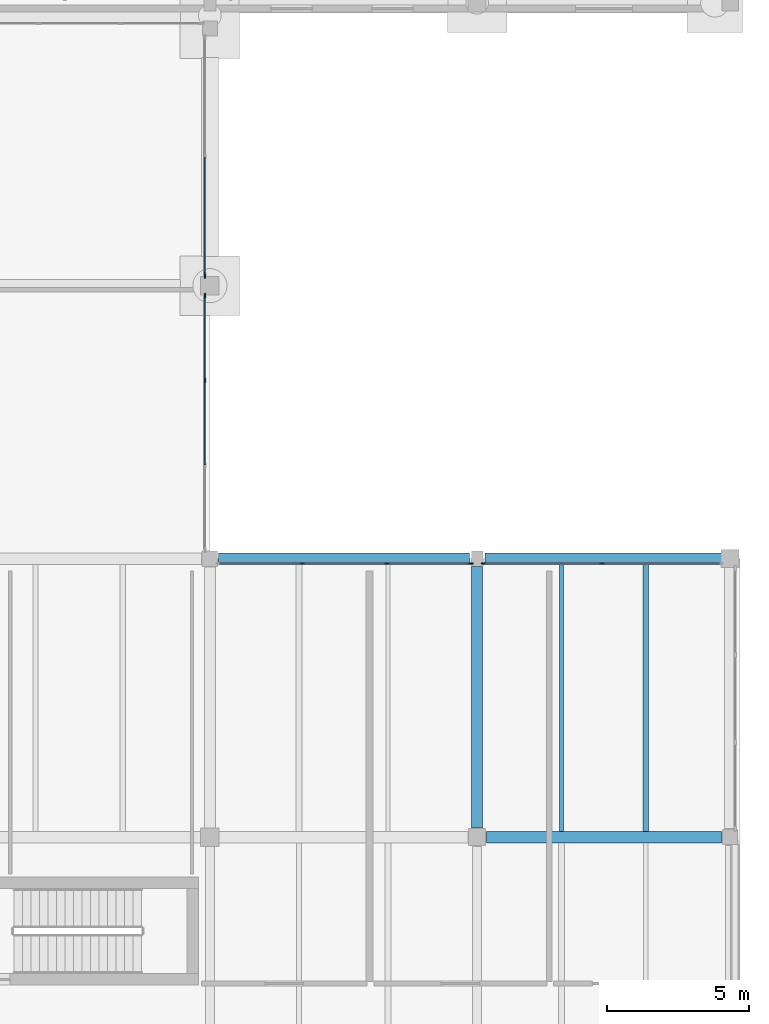
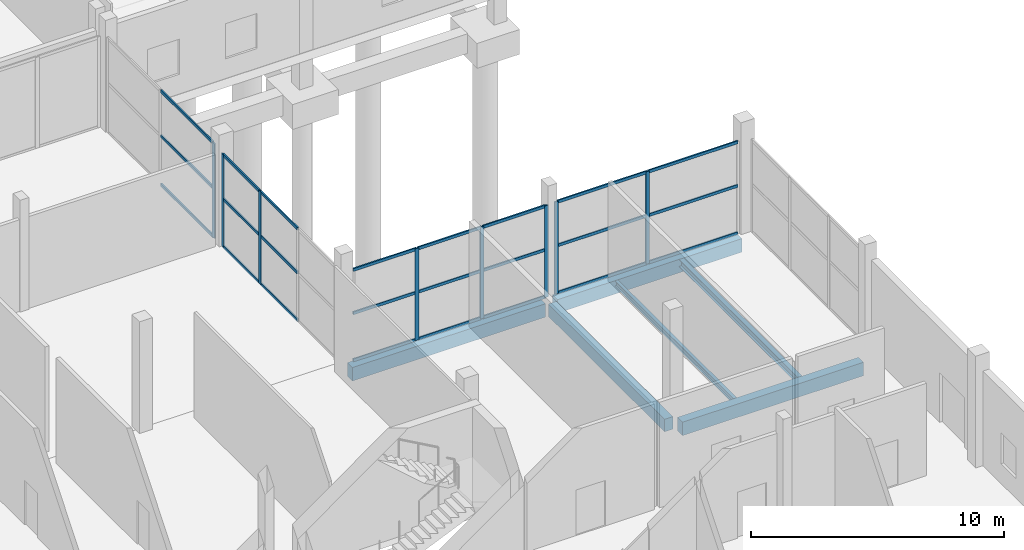
# One storey, part 43 of 88: 32 members, 6 beams, 4 elements without a shape of their own.
"""IFC4 building model written with IfcOpenShell, lengths in metres."""

import ifcopenshell
import ifcopenshell.guid

model = None  # the IFC model being written
_history = None  # IfcOwnerHistory: only IFC2X3 demands one
_inside = {}  # id of a spatial element -> (the spatial element, [elements in it])
_under = {}  # id of a project, library or spatial element -> (it, [spatial elements below it])
_declared = {}  # id of a project -> (the project, [libraries it declares])
_typed = {}  # id of a type object -> (the type object, [elements of that type])
_made_of = {}  # id of a material, layer set ... -> (it, [elements and type objects made of it])


def new_model(schema):
    """Start an empty IFC model of exactly this schema.

    Asked for "IFC4X3", IfcOpenShell would pick the latest addendum, in which some entities
    have other attributes; the version numbers below select the first issue.
    IFC2X3 requires an IfcOwnerHistory on every rooted entity: one is made here for all.
    """
    global model, _history
    if schema == "IFC4X3":
        model = ifcopenshell.file(schema_version=(4, 3, 0, 0))
    else:
        model = ifcopenshell.file(schema=schema)
    _inside.clear()
    _under.clear()
    _declared.clear()
    _typed.clear()
    _made_of.clear()
    _history = None
    if model.schema == "IFC2X3":
        org = make("IfcOrganization", Name="unknown")
        user = make(
            "IfcPersonAndOrganization",
            ThePerson=make("IfcPerson", FamilyName="unknown"),
            TheOrganization=org,
        )
        app = make(
            "IfcApplication",
            ApplicationDeveloper=org,
            Version="unknown",
            ApplicationFullName="unknown",
            ApplicationIdentifier="unknown",
        )
        _history = make(
            "IfcOwnerHistory",
            OwningUser=user,
            OwningApplication=app,
            ChangeAction="ADDED",
            CreationDate=0,
        )
    return model


def make(cls, **values):
    """One entity of the class cls with the attributes given. An attribute that is None is left unset."""
    return model.create_entity(
        cls, **{name: value for name, value in values.items() if value is not None}
    )


def rooted(cls, **values):
    """An entity with a GlobalId (a new one), such as an element, a storey or a relation."""
    return make(cls, GlobalId=ifcopenshell.guid.new(), OwnerHistory=_history, **values)


def si_unit(unit_type, name, prefix=None):
    """IfcSIUnit, for example si_unit("LENGTHUNIT", "METRE", prefix="MILLI")."""
    return make("IfcSIUnit", UnitType=unit_type, Prefix=prefix, Name=name)


def assignment(units):
    """IfcUnitAssignment: the units of a project."""
    return None if units is None else make("IfcUnitAssignment", Units=units)


def point(xyz):
    """IfcCartesianPoint."""
    return None if xyz is None else make("IfcCartesianPoint", Coordinates=xyz)


def direction(xyz):
    """IfcDirection."""
    return None if xyz is None else make("IfcDirection", DirectionRatios=xyz)


def frame(location, z_axis=None, x_axis=None):
    """IfcAxis2Placement3D, a coordinate frame: its origin and axes. An axis left out is left unset."""
    return make(
        "IfcAxis2Placement3D",
        Location=point(location),
        Axis=direction(z_axis),
        RefDirection=direction(x_axis),
    )


def frame_2d(location, x_axis=None):
    """IfcAxis2Placement2D, a coordinate frame in the plane: its origin and x axis."""
    return make(
        "IfcAxis2Placement2D", Location=point(location), RefDirection=direction(x_axis)
    )


def origin():
    """The frame at (0, 0, 0) with its axes left unset."""
    return frame((0.0, 0.0, 0.0))


def origin_2d():
    """The frame at (0, 0) in the plane with its x axis left unset."""
    return frame_2d((0.0, 0.0))


def place(relative_to, where):
    """IfcLocalPlacement: puts the frame where relative to a parent placement (None: the world)."""
    return make(
        "IfcLocalPlacement", PlacementRelTo=relative_to, RelativePlacement=where
    )


def context(
    kind, dimensions, precision=None, world=None, true_north=None, identifier=None
):
    """IfcGeometricRepresentationContext, for example the 3D "Model" context."""
    return make(
        "IfcGeometricRepresentationContext",
        ContextIdentifier=identifier,
        ContextType=kind,
        CoordinateSpaceDimension=dimensions,
        Precision=precision,
        WorldCoordinateSystem=world,
        TrueNorth=true_north,
    )


def subcontext(parent, identifier, kind, view, scale=None):
    """IfcGeometricRepresentationSubContext, for example "Body" below "Model"."""
    return make(
        "IfcGeometricRepresentationSubContext",
        ContextIdentifier=identifier,
        ContextType=kind,
        ParentContext=parent,
        TargetScale=scale,
        TargetView=view,
    )


def project(units=None, contexts=None):
    """IfcProject with its units and contexts."""
    return rooted(
        "IfcProject",
        Name="project",
        RepresentationContexts=contexts,
        UnitsInContext=assignment(units),
    )


def spatial(cls, under=None, at=None, **own):
    """A site, building, storey or space (cls), placed at a placement, below another one or the project."""
    s = rooted(cls, ObjectPlacement=at, **own)
    if under is not None:
        _under.setdefault(under.id(), (under, []))[1].append(s)
    return s


def profile(cls, at=None, kind="AREA", **sizes):
    """A parametric profile (cls). Its sizes go by their IFC names, for example OverallWidth=200.0."""
    return make(cls, ProfileType=kind, Position=at, **sizes)


def rectangle(**sizes):
    """IfcRectangleProfileDef."""
    return profile("IfcRectangleProfileDef", **sizes)


def i_section(**sizes):
    """IfcIShapeProfileDef."""
    return profile("IfcIShapeProfileDef", **sizes)


def extrude(swept, where, along, depth):
    """IfcExtrudedAreaSolid: the profile swept, set in the frame where, extruded along a direction by depth."""
    return make(
        "IfcExtrudedAreaSolid",
        SweptArea=swept,
        Position=where,
        ExtrudedDirection=direction(along),
        Depth=depth,
    )


def shape(context_of_items, identifier, shape_type, items):
    """IfcShapeRepresentation: the items that make up one representation, for example the "Body"."""
    return make(
        "IfcShapeRepresentation",
        ContextOfItems=context_of_items,
        RepresentationIdentifier=identifier,
        RepresentationType=shape_type,
        Items=items,
    )


def material(Name=None, Category=None):
    """IfcMaterial."""
    return make("IfcMaterial", Name=Name, Category=Category)


def layer(
    of_material, thickness, ventilated=None, Name=None, Category=None, Priority=None
):
    """IfcMaterialLayer: one layer of a wall or slab, of a material (None: an air gap)."""
    return make(
        "IfcMaterialLayer",
        Material=of_material,
        LayerThickness=thickness,
        IsVentilated=ventilated,
        Name=Name,
        Category=Category,
        Priority=Priority,
    )


def layer_set(layers, Name=None):
    """IfcMaterialLayerSet."""
    return make("IfcMaterialLayerSet", MaterialLayers=layers, LayerSetName=Name)


def material_profile(
    of_material, cross_section, Name=None, Category=None, Priority=None
):
    """IfcMaterialProfile: a cross section and its material."""
    return make(
        "IfcMaterialProfile",
        Name=Name,
        Material=of_material,
        Profile=cross_section,
        Priority=Priority,
        Category=Category,
    )


def profile_set(profiles, Name=None, composite=None):
    """IfcMaterialProfileSet."""
    return make(
        "IfcMaterialProfileSet",
        Name=Name,
        MaterialProfiles=profiles,
        CompositeProfile=composite,
    )


def made_of(thing, what):
    """Note that an element or type object is made of a material, layer set ...; save() writes the relation."""
    if what is not None:
        _made_of.setdefault(what.id(), (what, []))[1].append(thing)
    return thing


def type_object(cls, material=None, **own):
    """A type object (cls), such as IfcWallType, which elements share."""
    return made_of(rooted(cls, **own), material)


def element(
    cls,
    number,
    at=None,
    inside=None,
    cuts=None,
    type_object=None,
    material=None,
    context=None,
    identifier="Body",
    shape_type=None,
    held_by="IfcProductDefinitionShape",
    body=None,
    shapes=None,
    **own,
):
    """One element of the class cls, such as IfcWall. Its Tag is "e" and its number.

    at: its placement. inside: the storey or other place that contains it. cuts: it is an
    opening in that element (IfcRelVoidsElement). A single representation is given by context,
    identifier, shape_type and body (its items); several are given by shapes. held_by: the class
    of the entity that holds the representations. save() writes the other relations.
    """
    e = rooted(cls, Tag="e%d" % number, ObjectPlacement=at, **own)
    if body is not None:
        shapes = [shape(context, identifier, shape_type, body)]
    if shapes is not None:
        e.Representation = make(held_by, Representations=shapes)
    if inside is not None:
        _inside.setdefault(inside.id(), (inside, []))[1].append(e)
    if cuts is not None:
        rooted(
            "IfcRelVoidsElement", RelatingBuildingElement=cuts, RelatedOpeningElement=e
        )
    if type_object is not None:
        _typed.setdefault(type_object.id(), (type_object, []))[1].append(e)
    return made_of(e, material)


def aggregate(whole, parts):
    """IfcRelAggregates: a whole, such as a stair, and the parts it consists of."""
    return rooted("IfcRelAggregates", RelatingObject=whole, RelatedObjects=parts)


def save(model, path):
    """Write the relations noted so far, then the file.

    IfcRelAggregates (storeys below a building ...), IfcRelContainedInSpatialStructure (elements
    in a storey), IfcRelDefinesByType, IfcRelAssociatesMaterial and IfcRelDeclares: one each for
    every whole, place, type object, material and project.
    """
    for whole, parts in _under.values():
        aggregate(whole, parts)
    for where, things in _inside.values():
        rooted(
            "IfcRelContainedInSpatialStructure",
            RelatedElements=things,
            RelatingStructure=where,
        )
    for kind, things in _typed.values():
        rooted("IfcRelDefinesByType", RelatedObjects=things, RelatingType=kind)
    for what, things in _made_of.values():
        rooted("IfcRelAssociatesMaterial", RelatedObjects=things, RelatingMaterial=what)
    for by, libraries in _declared.values():
        rooted("IfcRelDeclares", RelatingContext=by, RelatedDefinitions=libraries)
    model.write(path)


model = new_model("IFC4")

# Units and contexts
model_context = context("Model", 3, precision=1e-05, world=origin(), true_north=direction((0.0, 1.0)))
body_context = subcontext(model_context, "Body", "Model", "MODEL_VIEW")
ifc_project = project(units=[si_unit("LENGTHUNIT", "METRE"), si_unit("AREAUNIT", "SQUARE_METRE"), si_unit("VOLUMEUNIT", "CUBIC_METRE"), si_unit("PLANEANGLEUNIT", "RADIAN"), si_unit("MASSUNIT", "GRAM", prefix="KILO")], contexts=[model_context])

# Site, building, storey
site_placement = place(None, origin())
site = spatial("IfcSite", under=ifc_project, at=site_placement, CompositionType="ELEMENT")
building_placement = place(site_placement, origin())
building = spatial("IfcBuilding", under=site, at=building_placement, Name="Birchvale Park Specialist Clinic", CompositionType="ELEMENT")
storey_placement = place(building_placement, origin())
storey = spatial("IfcBuildingStorey", under=building, at=storey_placement, Name="L00", CompositionType="ELEMENT", Elevation=0.0)

# Beams
ifc_material_1 = material(Name="Concrete C40/50", Category="concrete")
ifc_material_profile_1 = material_profile(ifc_material_1, rectangle(XDim=0.39990234375, YDim=0.64990234375, at=origin_2d()), Name="RCB-400x650")
ifc_profile_set_1 = profile_set([ifc_material_profile_1], Name="Concrete C40/50")
beam_type_1 = type_object("IfcBeamType", Name="BM-INT-BG4", PredefinedType="BEAM", material=ifc_profile_set_1)
beam_1_placement = place(storey_placement, frame((156.125, 34.60009765625, -0.625), z_axis=(1.0, 0.0, 0.0), x_axis=(0.0, 1.0, 0.0)))
element("IfcBeam", 1, at=beam_1_placement, inside=storey, type_object=beam_type_1, Name="V5 L00 X girder 15", PredefinedType="BEAM", context=body_context, shape_type="SweptSolid", body=[
    extrude(rectangle(XDim=0.39990234375, YDim=0.64990234375, at=origin_2d()), origin(), (0.0, 0.0, 1.0), 8.27490234375),
])
beam_2_placement = place(storey_placement, frame((146.699951171875, 44.39990234375, -0.625), z_axis=(1.0, 0.0, 0.0), x_axis=(0.0, 1.0, 0.0)))
element("IfcBeam", 2, at=beam_2_placement, inside=storey, type_object=beam_type_1, Name="V5 L00 X girder 19", PredefinedType="BEAM", context=body_context, shape_type="SweptSolid", body=[
    extrude(rectangle(XDim=0.39990234375, YDim=0.64990234375, at=origin_2d()), origin(), (0.0, 0.0, 1.0), 8.824951171875),
])
beam_3_placement = place(storey_placement, frame((156.074951171875, 44.39990234375, -0.625), z_axis=(1.0, 0.0, 0.0), x_axis=(0.0, 1.0, 0.0)))
element("IfcBeam", 3, at=beam_3_placement, inside=storey, type_object=beam_type_1, Name="V5 L00 X girder 20", PredefinedType="BEAM", context=body_context, shape_type="SweptSolid", body=[
    extrude(rectangle(XDim=0.39990234375, YDim=0.64990234375, at=origin_2d()), origin(), (0.0, 0.0, 1.0), 8.425048828125),
])
ifc_material_profile_2 = material_profile(ifc_material_1, rectangle(XDim=0.3798828125, YDim=0.60009765625, at=origin_2d()), Name="RCB-380x600")
ifc_profile_set_2 = profile_set([ifc_material_profile_2], Name="Concrete C40/50")
beam_type_2 = type_object("IfcBeamType", Name="BM-INT-BG5", PredefinedType="BEAM", material=ifc_profile_set_2)
beam_4_placement = place(storey_placement, frame((155.800048828125, 34.925048828125, -0.60009765625), z_axis=(0.0, 1.0, 0.0), x_axis=(-1.0, 0.0, 0.0)))
element("IfcBeam", 4, at=beam_4_placement, inside=storey, type_object=beam_type_2, Name="V5 L00 Y girder 35", PredefinedType="BEAM", context=body_context, shape_type="SweptSolid", body=[
    extrude(rectangle(XDim=0.3798828125, YDim=0.60009765625, at=origin_2d()), origin(), (0.0, 0.0, 1.0), 9.199951171875),
])

# Curtain wall, members
ifc_material_2 = material(Name="Thermally broken anodised aluminium", Category="aluminium")
ifc_layer = layer(ifc_material_2, 0.195068359375)
ifc_layer_set = layer_set([ifc_layer], Name="Thermally broken anodised aluminium")
curtain_wall_type = type_object("IfcCurtainWallType", Name="CW-U2", PredefinedType="USERDEFINED", material=ifc_layer_set)
curtain_wall_1_placement = place(storey_placement, origin())
curtain_wall_1 = element("IfcCurtainWall", 5, at=curtain_wall_1_placement, inside=storey, type_object=curtain_wall_type, Name="V5 L00 glazed curtain wall 49", ObjectType="UNITISED", PredefinedType="USERDEFINED")
ifc_material_profile_3 = material_profile(ifc_material_2, rectangle(XDim=0.06494140625, YDim=0.179931640625, at=origin_2d()), Name="CWM-65x180")
ifc_profile_set_3 = profile_set([ifc_material_profile_3], Name="Thermally broken anodised aluminium")
member_type_1 = type_object("IfcMemberType", Name="CWM2", PredefinedType="MULLION", material=ifc_profile_set_3)
member_1_placement = place(storey_placement, frame((160.1923828125, 44.22509765625, 0.0), z_axis=(0.0, 0.0, 1.0), x_axis=(0.0, -1.0, 0.0)))
member_1 = element("IfcMember", 6, at=member_1_placement, type_object=member_type_1, Name="CW mullion 2", PredefinedType="MULLION", context=body_context, shape_type="SweptSolid", body=[
    extrude(rectangle(XDim=0.06494140625, YDim=0.179931640625, at=origin_2d()), origin(), (0.0, 0.0, 1.0), 4.4599609375),
])
member_2_placement = place(storey_placement, frame((156.032470703125, 44.22509765625, 0.0), z_axis=(0.0, 0.0, 1.0), x_axis=(0.0, -1.0, 0.0)))
member_2 = element("IfcMember", 7, at=member_2_placement, type_object=member_type_1, Name="CW mullion 3", PredefinedType="MULLION", context=body_context, shape_type="SweptSolid", body=[
    extrude(rectangle(XDim=0.06494140625, YDim=0.179931640625, at=origin_2d()), origin(), (0.0, 0.0, 1.0), 4.4599609375),
])

curtain_wall_2_placement = place(storey_placement, origin())
curtain_wall_2 = element("IfcCurtainWall", 8, at=curtain_wall_2_placement, inside=storey, type_object=curtain_wall_type, Name="V5 L00 glazed curtain wall 50", ObjectType="UNITISED", PredefinedType="USERDEFINED")
member_3_placement = place(storey_placement, frame((155.5673828125, 44.22509765625, 0.0), z_axis=(0.0, 0.0, 1.0), x_axis=(0.0, -1.0, 0.0)))
member_3 = element("IfcMember", 9, at=member_3_placement, type_object=member_type_1, Name="CW mullion 1", PredefinedType="MULLION", context=body_context, shape_type="SweptSolid", body=[
    extrude(rectangle(XDim=0.06494140625, YDim=0.179931640625, at=origin_2d()), origin(), (0.0, 0.0, 1.0), 4.43505859375),
])
member_4_placement = place(storey_placement, frame((152.625, 44.22509765625, 0.0), z_axis=(0.0, 0.0, 1.0), x_axis=(0.0, -1.0, 0.0)))
member_4 = element("IfcMember", 10, at=member_4_placement, type_object=member_type_1, Name="CW mullion 2", PredefinedType="MULLION", context=body_context, shape_type="SweptSolid", body=[
    extrude(rectangle(XDim=0.06494140625, YDim=0.179931640625, at=origin_2d()), origin(), (0.0, 0.0, 1.0), 4.43505859375),
])
member_5_placement = place(storey_placement, frame((149.64990234375, 44.22509765625, 0.0), z_axis=(0.0, 0.0, 1.0), x_axis=(0.0, -1.0, 0.0)))
member_5 = element("IfcMember", 11, at=member_5_placement, type_object=member_type_1, Name="CW mullion 3", PredefinedType="MULLION", context=body_context, shape_type="SweptSolid", body=[
    extrude(rectangle(XDim=0.06494140625, YDim=0.179931640625, at=origin_2d()), origin(), (0.0, 0.0, 1.0), 4.43505859375),
])

curtain_wall_3_placement = place(storey_placement, origin())
curtain_wall_3 = element("IfcCurtainWall", 12, at=curtain_wall_3_placement, inside=storey, type_object=curtain_wall_type, Name="V5 L00 glazed curtain wall 55", ObjectType="UNITISED", PredefinedType="USERDEFINED")
member_6_placement = place(storey_placement, frame((146.22509765625, 50.675048828125, 0.0), z_axis=(0.0, 0.0, 1.0), x_axis=(-1.0, 0.0, 0.0)))
member_6 = element("IfcMember", 13, at=member_6_placement, type_object=member_type_1, Name="CW mullion 3", PredefinedType="MULLION", context=body_context, shape_type="SweptSolid", body=[
    extrude(rectangle(XDim=0.06494140625, YDim=0.179931640625, at=origin_2d()), origin(), (0.0, 0.0, 1.0), 4.485107421875),
])
member_7_placement = place(storey_placement, frame((146.22509765625, 53.642578125, 0.0), z_axis=(0.0, 0.0, 1.0), x_axis=(-1.0, 0.0, 0.0)))
member_7 = element("IfcMember", 14, at=member_7_placement, type_object=member_type_1, Name="CW mullion 4", PredefinedType="MULLION", context=body_context, shape_type="SweptSolid", body=[
    extrude(rectangle(XDim=0.06494140625, YDim=0.179931640625, at=origin_2d()), origin(), (0.0, 0.0, 1.0), 4.485107421875),
])

# Curtain wall, member
curtain_wall_4_placement = place(storey_placement, origin())
curtain_wall_4 = element("IfcCurtainWall", 15, at=curtain_wall_4_placement, inside=storey, type_object=curtain_wall_type, Name="V5 L00 glazed curtain wall 56", ObjectType="UNITISED", PredefinedType="USERDEFINED")
member_8_placement = place(storey_placement, frame((146.22509765625, 54.357421875, 0.0), z_axis=(0.0, 0.0, 1.0), x_axis=(-1.0, 0.0, 0.0)))
member_8 = element("IfcMember", 16, at=member_8_placement, type_object=member_type_1, Name="CW mullion 1", PredefinedType="MULLION", context=body_context, shape_type="SweptSolid", body=[
    extrude(rectangle(XDim=0.06494140625, YDim=0.179931640625, at=origin_2d()), origin(), (0.0, 0.0, 1.0), 4.5849609375),
])

# Member
ifc_material_profile_4 = material_profile(ifc_material_2, rectangle(XDim=0.06494140625, YDim=0.139892578125, at=origin_2d()), Name="CWT-65x140")
ifc_profile_set_4 = profile_set([ifc_material_profile_4], Name="Thermally broken anodised aluminium")
member_type_2 = type_object("IfcMemberType", Name="CWT2", PredefinedType="USERDEFINED", material=ifc_profile_set_4)
member_9_placement = place(storey_placement, frame((164.320068359375, 44.22509765625, 0.032470703125), z_axis=(-1.0, 0.0, 0.0), x_axis=(0.0, -1.0, 0.0)))
member_9 = element("IfcMember", 17, at=member_9_placement, type_object=member_type_2, Name="CW transom 1.1", ObjectType="TRANSOM", PredefinedType="USERDEFINED", context=body_context, shape_type="SweptSolid", body=[
    extrude(rectangle(XDim=0.06494140625, YDim=0.139892578125, at=origin_2d()), origin(), (0.0, 0.0, 1.0), 4.094970703125),
])

member_10_placement = place(storey_placement, frame((164.320068359375, 44.22509765625, 2.319091796875), z_axis=(-1.0, 0.0, 0.0), x_axis=(0.0, -1.0, 0.0)))
member_10 = element("IfcMember", 18, at=member_10_placement, type_object=member_type_2, Name="CW transom 1.2", ObjectType="TRANSOM", PredefinedType="USERDEFINED", context=body_context, shape_type="SweptSolid", body=[
    extrude(rectangle(XDim=0.06494140625, YDim=0.139892578125, at=origin_2d()), origin(), (0.0, 0.0, 1.0), 4.094970703125),
])

member_11_placement = place(storey_placement, frame((164.320068359375, 44.22509765625, 4.427490234375), z_axis=(-1.0, 0.0, 0.0), x_axis=(0.0, -1.0, 0.0)))
member_11 = element("IfcMember", 19, at=member_11_placement, type_object=member_type_2, Name="CW transom 1.3", ObjectType="TRANSOM", PredefinedType="USERDEFINED", context=body_context, shape_type="SweptSolid", body=[
    extrude(rectangle(XDim=0.06494140625, YDim=0.139892578125, at=origin_2d()), origin(), (0.0, 0.0, 1.0), 4.094970703125),
])

member_12_placement = place(storey_placement, frame((160.159912109375, 44.22509765625, 0.032470703125), z_axis=(-1.0, 0.0, 0.0), x_axis=(0.0, -1.0, 0.0)))
member_12 = element("IfcMember", 20, at=member_12_placement, type_object=member_type_2, Name="CW transom 2.1", ObjectType="TRANSOM", PredefinedType="USERDEFINED", context=body_context, shape_type="SweptSolid", body=[
    extrude(rectangle(XDim=0.06494140625, YDim=0.139892578125, at=origin_2d()), origin(), (0.0, 0.0, 1.0), 4.094970703125),
])

member_13_placement = place(storey_placement, frame((160.159912109375, 44.22509765625, 2.319091796875), z_axis=(-1.0, 0.0, 0.0), x_axis=(0.0, -1.0, 0.0)))
member_13 = element("IfcMember", 21, at=member_13_placement, type_object=member_type_2, Name="CW transom 2.2", ObjectType="TRANSOM", PredefinedType="USERDEFINED", context=body_context, shape_type="SweptSolid", body=[
    extrude(rectangle(XDim=0.06494140625, YDim=0.139892578125, at=origin_2d()), origin(), (0.0, 0.0, 1.0), 4.094970703125),
])

member_14_placement = place(storey_placement, frame((160.159912109375, 44.22509765625, 4.427490234375), z_axis=(-1.0, 0.0, 0.0), x_axis=(0.0, -1.0, 0.0)))
member_14 = element("IfcMember", 22, at=member_14_placement, type_object=member_type_2, Name="CW transom 2.3", ObjectType="TRANSOM", PredefinedType="USERDEFINED", context=body_context, shape_type="SweptSolid", body=[
    extrude(rectangle(XDim=0.06494140625, YDim=0.139892578125, at=origin_2d()), origin(), (0.0, 0.0, 1.0), 4.094970703125),
])

aggregate(curtain_wall_1, [member_1, member_2, member_9, member_10, member_11, member_12, member_13, member_14])

member_15_placement = place(storey_placement, frame((155.534912109375, 44.22509765625, 0.032470703125), z_axis=(-1.0, 0.0, 0.0), x_axis=(0.0, -1.0, 0.0)))
member_15 = element("IfcMember", 23, at=member_15_placement, type_object=member_type_2, Name="CW transom 1.1", ObjectType="TRANSOM", PredefinedType="USERDEFINED", context=body_context, shape_type="SweptSolid", body=[
    extrude(rectangle(XDim=0.06494140625, YDim=0.139892578125, at=origin_2d()), origin(), (0.0, 0.0, 1.0), 2.87744140625),
])

member_16_placement = place(storey_placement, frame((155.534912109375, 44.22509765625, 2.30615234375), z_axis=(-1.0, 0.0, 0.0), x_axis=(0.0, -1.0, 0.0)))
member_16 = element("IfcMember", 24, at=member_16_placement, type_object=member_type_2, Name="CW transom 1.2", ObjectType="TRANSOM", PredefinedType="USERDEFINED", context=body_context, shape_type="SweptSolid", body=[
    extrude(rectangle(XDim=0.06494140625, YDim=0.139892578125, at=origin_2d()), origin(), (0.0, 0.0, 1.0), 2.87744140625),
])

member_17_placement = place(storey_placement, frame((155.534912109375, 44.22509765625, 4.402587890625), z_axis=(-1.0, 0.0, 0.0), x_axis=(0.0, -1.0, 0.0)))
member_17 = element("IfcMember", 25, at=member_17_placement, type_object=member_type_2, Name="CW transom 1.3", ObjectType="TRANSOM", PredefinedType="USERDEFINED", context=body_context, shape_type="SweptSolid", body=[
    extrude(rectangle(XDim=0.06494140625, YDim=0.139892578125, at=origin_2d()), origin(), (0.0, 0.0, 1.0), 2.87744140625),
])

member_18_placement = place(storey_placement, frame((152.592529296875, 44.22509765625, 0.032470703125), z_axis=(-1.0, 0.0, 0.0), x_axis=(0.0, -1.0, 0.0)))
member_18 = element("IfcMember", 26, at=member_18_placement, type_object=member_type_2, Name="CW transom 2.1", ObjectType="TRANSOM", PredefinedType="USERDEFINED", context=body_context, shape_type="SweptSolid", body=[
    extrude(rectangle(XDim=0.06494140625, YDim=0.139892578125, at=origin_2d()), origin(), (0.0, 0.0, 1.0), 2.909912109375),
])

member_19_placement = place(storey_placement, frame((152.592529296875, 44.22509765625, 2.30615234375), z_axis=(-1.0, 0.0, 0.0), x_axis=(0.0, -1.0, 0.0)))
member_19 = element("IfcMember", 27, at=member_19_placement, type_object=member_type_2, Name="CW transom 2.2", ObjectType="TRANSOM", PredefinedType="USERDEFINED", context=body_context, shape_type="SweptSolid", body=[
    extrude(rectangle(XDim=0.06494140625, YDim=0.139892578125, at=origin_2d()), origin(), (0.0, 0.0, 1.0), 2.909912109375),
])

member_20_placement = place(storey_placement, frame((152.592529296875, 44.22509765625, 4.402587890625), z_axis=(-1.0, 0.0, 0.0), x_axis=(0.0, -1.0, 0.0)))
member_20 = element("IfcMember", 28, at=member_20_placement, type_object=member_type_2, Name="CW transom 2.3", ObjectType="TRANSOM", PredefinedType="USERDEFINED", context=body_context, shape_type="SweptSolid", body=[
    extrude(rectangle(XDim=0.06494140625, YDim=0.139892578125, at=origin_2d()), origin(), (0.0, 0.0, 1.0), 2.909912109375),
])

member_21_placement = place(storey_placement, frame((149.617431640625, 44.22509765625, 0.032470703125), z_axis=(-1.0, 0.0, 0.0), x_axis=(0.0, -1.0, 0.0)))
member_21 = element("IfcMember", 29, at=member_21_placement, type_object=member_type_2, Name="CW transom 3.1", ObjectType="TRANSOM", PredefinedType="USERDEFINED", context=body_context, shape_type="SweptSolid", body=[
    extrude(rectangle(XDim=0.06494140625, YDim=0.139892578125, at=origin_2d()), origin(), (0.0, 0.0, 1.0), 2.87744140625),
])

member_22_placement = place(storey_placement, frame((149.617431640625, 44.22509765625, 2.30615234375), z_axis=(-1.0, 0.0, 0.0), x_axis=(0.0, -1.0, 0.0)))
member_22 = element("IfcMember", 30, at=member_22_placement, type_object=member_type_2, Name="CW transom 3.2", ObjectType="TRANSOM", PredefinedType="USERDEFINED", context=body_context, shape_type="SweptSolid", body=[
    extrude(rectangle(XDim=0.06494140625, YDim=0.139892578125, at=origin_2d()), origin(), (0.0, 0.0, 1.0), 2.87744140625),
])

member_23_placement = place(storey_placement, frame((149.617431640625, 44.22509765625, 4.402587890625), z_axis=(-1.0, 0.0, 0.0), x_axis=(0.0, -1.0, 0.0)))
member_23 = element("IfcMember", 31, at=member_23_placement, type_object=member_type_2, Name="CW transom 3.3", ObjectType="TRANSOM", PredefinedType="USERDEFINED", context=body_context, shape_type="SweptSolid", body=[
    extrude(rectangle(XDim=0.06494140625, YDim=0.139892578125, at=origin_2d()), origin(), (0.0, 0.0, 1.0), 2.87744140625),
])

aggregate(curtain_wall_2, [member_3, member_4, member_5, member_15, member_16, member_17, member_18, member_19, member_20, member_21, member_22, member_23])

member_24_placement = place(storey_placement, frame((146.22509765625, 47.70751953125, 0.032470703125), z_axis=(0.0, 1.0, 0.0), x_axis=(-1.0, 0.0, 0.0)))
member_24 = element("IfcMember", 32, at=member_24_placement, type_object=member_type_2, Name="CW transom 2.1", ObjectType="TRANSOM", PredefinedType="USERDEFINED", context=body_context, shape_type="SweptSolid", body=[
    extrude(rectangle(XDim=0.06494140625, YDim=0.139892578125, at=origin_2d()), origin(), (0.0, 0.0, 1.0), 2.93505859375),
])

member_25_placement = place(storey_placement, frame((146.22509765625, 47.70751953125, 2.332275390625), z_axis=(0.0, 1.0, 0.0), x_axis=(-1.0, 0.0, 0.0)))
member_25 = element("IfcMember", 33, at=member_25_placement, type_object=member_type_2, Name="CW transom 2.2", ObjectType="TRANSOM", PredefinedType="USERDEFINED", context=body_context, shape_type="SweptSolid", body=[
    extrude(rectangle(XDim=0.06494140625, YDim=0.139892578125, at=origin_2d()), origin(), (0.0, 0.0, 1.0), 2.93505859375),
])

member_26_placement = place(storey_placement, frame((146.22509765625, 47.70751953125, 4.452392578125), z_axis=(0.0, 1.0, 0.0), x_axis=(-1.0, 0.0, 0.0)))
member_26 = element("IfcMember", 34, at=member_26_placement, type_object=member_type_2, Name="CW transom 2.3", ObjectType="TRANSOM", PredefinedType="USERDEFINED", context=body_context, shape_type="SweptSolid", body=[
    extrude(rectangle(XDim=0.06494140625, YDim=0.139892578125, at=origin_2d()), origin(), (0.0, 0.0, 1.0), 2.93505859375),
])

member_27_placement = place(storey_placement, frame((146.22509765625, 50.70751953125, 0.032470703125), z_axis=(0.0, 1.0, 0.0), x_axis=(-1.0, 0.0, 0.0)))
member_27 = element("IfcMember", 35, at=member_27_placement, type_object=member_type_2, Name="CW transom 3.1", ObjectType="TRANSOM", PredefinedType="USERDEFINED", context=body_context, shape_type="SweptSolid", body=[
    extrude(rectangle(XDim=0.06494140625, YDim=0.139892578125, at=origin_2d()), origin(), (0.0, 0.0, 1.0), 2.902587890625),
])

member_28_placement = place(storey_placement, frame((146.22509765625, 50.70751953125, 2.332275390625), z_axis=(0.0, 1.0, 0.0), x_axis=(-1.0, 0.0, 0.0)))
member_28 = element("IfcMember", 36, at=member_28_placement, type_object=member_type_2, Name="CW transom 3.2", ObjectType="TRANSOM", PredefinedType="USERDEFINED", context=body_context, shape_type="SweptSolid", body=[
    extrude(rectangle(XDim=0.06494140625, YDim=0.139892578125, at=origin_2d()), origin(), (0.0, 0.0, 1.0), 2.902587890625),
])

member_29_placement = place(storey_placement, frame((146.22509765625, 50.70751953125, 4.452392578125), z_axis=(0.0, 1.0, 0.0), x_axis=(-1.0, 0.0, 0.0)))
member_29 = element("IfcMember", 37, at=member_29_placement, type_object=member_type_2, Name="CW transom 3.3", ObjectType="TRANSOM", PredefinedType="USERDEFINED", context=body_context, shape_type="SweptSolid", body=[
    extrude(rectangle(XDim=0.06494140625, YDim=0.139892578125, at=origin_2d()), origin(), (0.0, 0.0, 1.0), 2.902587890625),
])

aggregate(curtain_wall_3, [member_6, member_7, member_24, member_25, member_26, member_27, member_28, member_29])

member_30_placement = place(storey_placement, frame((146.22509765625, 54.389892578125, 0.032470703125), z_axis=(0.0, 1.0, 0.0), x_axis=(-1.0, 0.0, 0.0)))
member_30 = element("IfcMember", 38, at=member_30_placement, type_object=member_type_2, Name="CW transom 1.1", ObjectType="TRANSOM", PredefinedType="USERDEFINED", context=body_context, shape_type="SweptSolid", body=[
    extrude(rectangle(XDim=0.06494140625, YDim=0.139892578125, at=origin_2d()), origin(), (0.0, 0.0, 1.0), 4.132568359375),
])

member_31_placement = place(storey_placement, frame((146.22509765625, 54.389892578125, 2.38427734375), z_axis=(0.0, 1.0, 0.0), x_axis=(-1.0, 0.0, 0.0)))
member_31 = element("IfcMember", 39, at=member_31_placement, type_object=member_type_2, Name="CW transom 1.2", ObjectType="TRANSOM", PredefinedType="USERDEFINED", context=body_context, shape_type="SweptSolid", body=[
    extrude(rectangle(XDim=0.06494140625, YDim=0.139892578125, at=origin_2d()), origin(), (0.0, 0.0, 1.0), 4.132568359375),
])

member_32_placement = place(storey_placement, frame((146.22509765625, 54.389892578125, 4.552490234375), z_axis=(0.0, 1.0, 0.0), x_axis=(-1.0, 0.0, 0.0)))
member_32 = element("IfcMember", 40, at=member_32_placement, type_object=member_type_2, Name="CW transom 1.3", ObjectType="TRANSOM", PredefinedType="USERDEFINED", context=body_context, shape_type="SweptSolid", body=[
    extrude(rectangle(XDim=0.06494140625, YDim=0.139892578125, at=origin_2d()), origin(), (0.0, 0.0, 1.0), 4.132568359375),
])

aggregate(curtain_wall_4, [member_8, member_30, member_31, member_32])

# Beams
ifc_material_3 = material(Name="Steel ASTM A992 Grade 50", Category="steel")
ifc_material_profile_5 = material_profile(ifc_material_3, i_section(OverallWidth=0.2041015625, OverallDepth=0.35107421875, WebThickness=0.008544921875, FlangeThickness=0.01513671875, at=origin_2d()), Name="W14X48")
ifc_profile_set_5 = profile_set([ifc_material_profile_5], Name="Steel ASTM A992 Grade 50")
beam_type_3 = type_object("IfcBeamType", Name="STL-INT-SJ1", PredefinedType="JOIST", material=ifc_profile_set_5)
beam_5_placement = place(storey_placement, frame((161.7333984375, 34.800048828125, -0.4755859375), z_axis=(0.0, 1.0, 0.0), x_axis=(-1.0, 0.0, 0.0)))
element("IfcBeam", 41, at=beam_5_placement, inside=storey, type_object=beam_type_3, Name="V5 L00 secondary floor joist 26", PredefinedType="JOIST", context=body_context, shape_type="SweptSolid", body=[
    extrude(i_section(OverallWidth=0.2041015625, OverallDepth=0.35107421875, WebThickness=0.008544921875, FlangeThickness=0.01513671875, at=origin_2d()), origin(), (0.0, 0.0, 1.0), 9.39990234375),
])
ifc_material_profile_6 = material_profile(ifc_material_3, i_section(OverallWidth=0.14697265625, OverallDepth=0.261962890625, WebThickness=0.006591796875, FlangeThickness=0.01123046875, at=origin_2d()), Name="W10X26")
ifc_profile_set_6 = profile_set([ifc_material_profile_6], Name="Steel ASTM A992 Grade 50")
beam_type_4 = type_object("IfcBeamType", Name="STL-INT-SJ5", PredefinedType="JOIST", material=ifc_profile_set_6)
beam_6_placement = place(storey_placement, frame((158.7666015625, 34.800048828125, -0.430908203125), z_axis=(0.0, 1.0, 0.0), x_axis=(-1.0, 0.0, 0.0)))
element("IfcBeam", 42, at=beam_6_placement, inside=storey, type_object=beam_type_4, Name="V5 L00 secondary floor joist 25", PredefinedType="JOIST", context=body_context, shape_type="SweptSolid", body=[
    extrude(i_section(OverallWidth=0.14697265625, OverallDepth=0.261962890625, WebThickness=0.006591796875, FlangeThickness=0.01123046875, at=origin_2d()), origin(), (0.0, 0.0, 1.0), 9.39990234375),
])

save(model, "model.ifc")
